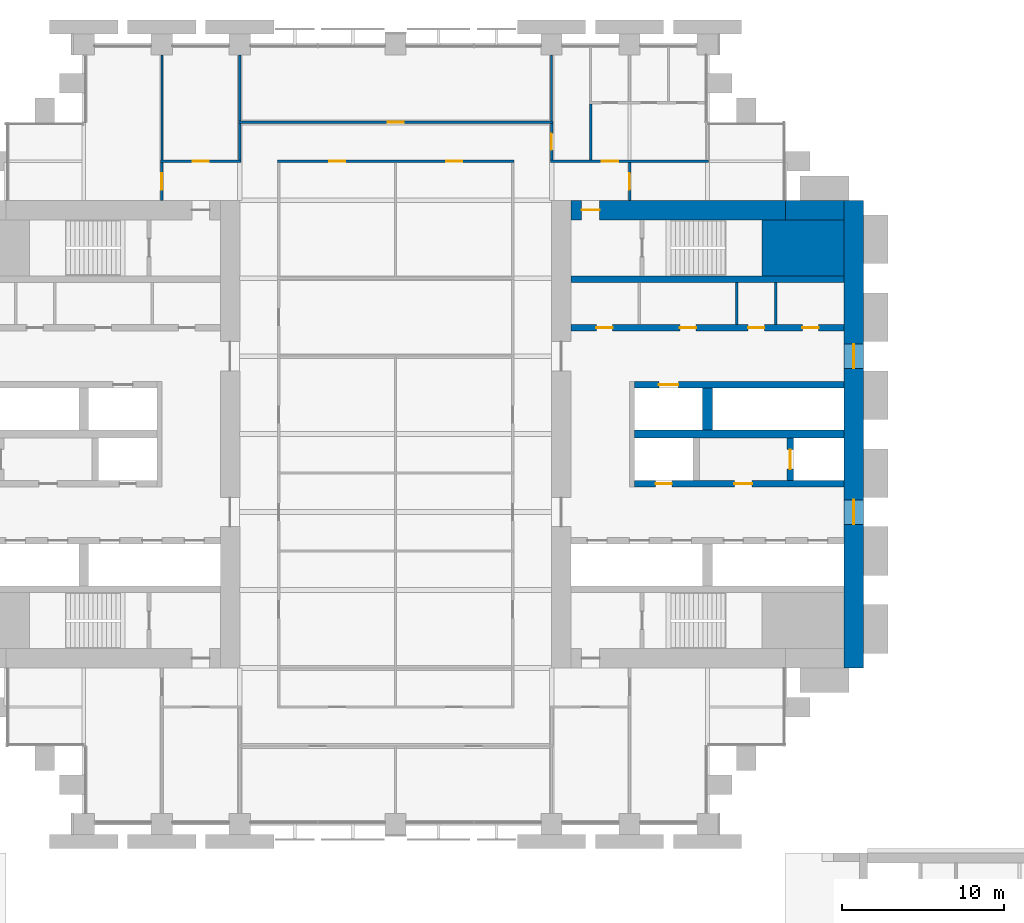
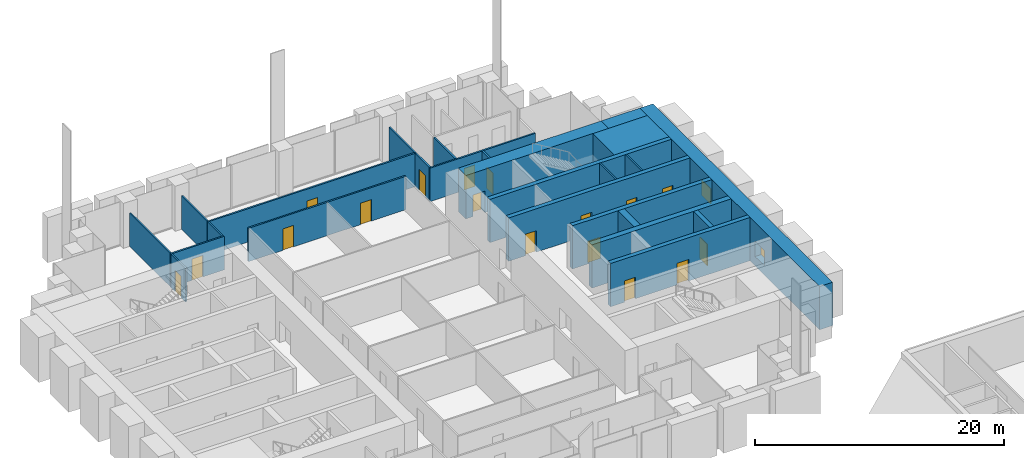
# One storey, part 20 of 22: 25 walls, 17 doors, 2 windows, 19 openings.
"""IFC4 building model written with IfcOpenShell, lengths in metres."""

from ifc_helpers import new_model, si_unit, direction, frame, frame_2d, origin, place, context, subcontext, project, spatial, rectangle, extrude, material, layer, layer_set, type_object, element, fill, save


model = new_model("IFC4")

# Units and contexts
model_context = context("Model", 3, precision=1e-05, world=origin(), true_north=direction((0.0, 1.0)))
body_context = subcontext(model_context, "Body", "Model", "MODEL_VIEW")
ifc_project = project(units=[si_unit("LENGTHUNIT", "METRE"), si_unit("AREAUNIT", "SQUARE_METRE"), si_unit("VOLUMEUNIT", "CUBIC_METRE"), si_unit("PLANEANGLEUNIT", "RADIAN"), si_unit("MASSUNIT", "GRAM", prefix="KILO")], contexts=[model_context])

# Site, building, storey
site_placement = place(None, origin())
site = spatial("IfcSite", under=ifc_project, at=site_placement, CompositionType="ELEMENT")
building_placement = place(site_placement, origin())
building = spatial("IfcBuilding", under=site, at=building_placement, Name="Baori Bourse Tower", CompositionType="ELEMENT")
storey_placement = place(building_placement, frame((0.0, 0.0, 25.800048828125)))
storey = spatial("IfcBuildingStorey", under=building, at=storey_placement, Name="L04", CompositionType="ELEMENT", Elevation=25.800048828125)

# Walls
ifc_material_1 = material(Name="Concrete f'c 70 MPa", Category="concrete")
wall_type_1 = type_object("IfcWallType", Name="Core corner block f'c 70", PredefinedType="SHEAR", material=ifc_material_1)
wall_1_placement = place(storey_placement, frame((51.35009765625, 35.47509765625, 0.0), z_axis=(0.0, 0.0, 1.0), x_axis=(1.0, 0.0, 0.0)))
element("IfcWall", 1, at=wall_1_placement, inside=storey, type_object=wall_type_1, Name="Core wall E22", PredefinedType="SHEAR", context=body_context, shape_type="SweptSolid", body=[
    extrude(rectangle(XDim=5.0498046875, YDim=3.449951171875, at=frame_2d((2.52490234375, 0.0))), origin(), (0.0, 0.0, 1.0), 4.239990234375),
])
ifc_material_2 = material(Name="Blockwork partition", Category="masonry")
ifc_layer_1 = layer(ifc_material_2, 0.14990234375)
ifc_layer_set_1 = layer_set([ifc_layer_1], Name="Core partition 150")
wall_type_2 = type_object("IfcWallType", Name="Core partition 150", PredefinedType="PARTITIONING", material=ifc_layer_set_1)
for number, where, z_axis, x_axis, name in (
    (2, (52.199951171875, 30.75, 0.0), (0.0, 0.0, 1.0), (0.0, 1.0, 0.0), "Partition wall E18"),
    (3, (49.800048828125, 30.75, 0.0), (0.0, 0.0, 1.0), (0.0, 1.0, 0.0), "Partition wall E19"),
):
    element("IfcWall", number, at=place(storey_placement, frame(where, z_axis=z_axis, x_axis=x_axis)), inside=storey, type_object=wall_type_2, Name=name, PredefinedType="PARTITIONING", context=body_context, shape_type="SweptSolid", body=[
        extrude(rectangle(XDim=2.60009765625, YDim=0.14990234375, at=frame_2d((1.300048828125, 0.0))), origin(), (0.0, 0.0, 1.0), 4.239990234375),
    ])

# Wall, openings, windows
ifc_material_3 = material(Name="Concrete f'c 70 MPa", Category="concrete")
ifc_layer_2 = layer(ifc_material_3, 1.199951171875)
ifc_layer_set_2 = layer_set([ifc_layer_2], Name="Core wall 1200 f'c 70")
wall_type_3 = type_object("IfcWallType", Name="Core wall 1200 f'c 70", PredefinedType="SHEAR", material=ifc_layer_set_2)
wall_2_placement = place(storey_placement, frame((57.0, 38.39990234375, 0.0), z_axis=(0.0, 0.0, 1.0), x_axis=(0.0, -1.0, 0.0)))
wall_2 = element("IfcWall", 4, at=wall_2_placement, inside=storey, type_object=wall_type_3, Name="Core wall E01", PredefinedType="SHEAR", context=body_context, shape_type="SweptSolid", body=[
    extrude(rectangle(XDim=28.7998046875, YDim=1.199951171875, at=frame_2d((14.39990234375, 0.0))), origin(), (0.0, 0.0, 1.0), 4.239990234375),
])
opening_1_placement = place(wall_2_placement, frame((18.449951171875, 0.0, 0.89990234375)))
opening_1 = element("IfcOpeningElement", 5, at=opening_1_placement, cuts=wall_2, Name="Opening L04-KW201", PredefinedType="OPENING", context=body_context, shape_type="SweptSolid", body=[
    extrude(rectangle(XDim=1.5, YDim=1.5, at=frame_2d((0.75, 0.75))), frame((0.0, 0.60986328125, 0.0), z_axis=(0.0, -1.0, 0.0), x_axis=(1.0, 0.0, 0.0)), (0.0, 0.0, 1.0), 1.219970703125),
])
opening_2_placement = place(wall_2_placement, frame((8.85009765625, 0.0, 0.89990234375)))
opening_2 = element("IfcOpeningElement", 6, at=opening_2_placement, cuts=wall_2, Name="Opening L04-KW202", PredefinedType="OPENING", context=body_context, shape_type="SweptSolid", body=[
    extrude(rectangle(XDim=1.5, YDim=1.5, at=frame_2d((0.75, 0.75))), frame((0.0, 0.60986328125, 0.0), z_axis=(0.0, -1.0, 0.0), x_axis=(1.0, 0.0, 0.0)), (0.0, 0.0, 1.0), 1.219970703125),
])
ifc_material_4 = material(Name="Pale anodised aluminium", Category="aluminium")
window_type = type_object("IfcWindowType", Name="Lobby window 1500 x 1500", PartitioningType="SINGLE_PANEL", PredefinedType="WINDOW", material=ifc_material_4)
window_1_placement = place(opening_1_placement, origin())
window_1 = element("IfcWindow", 7, at=window_1_placement, inside=storey, type_object=window_type, Name="Outer wall window E L04 1", OverallHeight=1.5, OverallWidth=1.5, PartitioningType="SINGLE_PANEL", PredefinedType="WINDOW", context=body_context, shape_type="SweptSolid", body=[
    extrude(rectangle(XDim=1.5, YDim=1.5, at=frame_2d((0.75, 0.75))), frame((0.0, 0.030029296875, 0.0), z_axis=(0.0, -1.0, 0.0), x_axis=(1.0, 0.0, 0.0)), (0.0, 0.0, 1.0), 0.06005859375),
])
fill(opening_1, window_1)
window_2_placement = place(opening_2_placement, origin())
window_2 = element("IfcWindow", 8, at=window_2_placement, inside=storey, type_object=window_type, Name="Outer wall window E L04 2", OverallHeight=1.5, OverallWidth=1.5, PartitioningType="SINGLE_PANEL", PredefinedType="WINDOW", context=body_context, shape_type="SweptSolid", body=[
    extrude(rectangle(XDim=1.5, YDim=1.5, at=frame_2d((0.75, 0.75))), frame((0.0, 0.030029296875, 0.0), z_axis=(0.0, -1.0, 0.0), x_axis=(1.0, 0.0, 0.0)), (0.0, 0.0, 1.0), 0.06005859375),
])
fill(opening_2, window_2)

# Wall
wall_3_placement = place(storey_placement, frame((52.800048828125, 37.800048828125, 0.0), z_axis=(0.0, 0.0, 1.0), x_axis=(1.0, 0.0, 0.0)))
element("IfcWall", 9, at=wall_3_placement, inside=storey, type_object=wall_type_3, Name="Core wall E24", PredefinedType="SHEAR", context=body_context, shape_type="SweptSolid", body=[
    extrude(rectangle(XDim=3.599853515625, YDim=1.199951171875, at=frame_2d((1.7998046875, 0.0))), origin(), (0.0, 0.0, 1.0), 4.239990234375),
])

# Wall, opening, door
wall_4_placement = place(storey_placement, frame((39.60009765625, 37.800048828125, 0.0), z_axis=(0.0, 0.0, 1.0), x_axis=(1.0, 0.0, 0.0)))
wall_4 = element("IfcWall", 10, at=wall_4_placement, inside=storey, type_object=wall_type_3, Name="Core wall E25", PredefinedType="SHEAR", context=body_context, shape_type="SweptSolid", body=[
    extrude(rectangle(XDim=13.199951171875, YDim=1.199951171875, at=frame_2d((6.60009765625, 0.0))), origin(), (0.0, 0.0, 1.0), 4.239990234375),
])
opening_3_placement = place(wall_4_placement, frame((0.64990234375, 0.0, 0.0)))
opening_3 = element("IfcOpeningElement", 11, at=opening_3_placement, cuts=wall_4, Name="Opening L04-D204", PredefinedType="OPENING", context=body_context, shape_type="SweptSolid", body=[
    extrude(rectangle(XDim=1.10009765625, YDim=2.10009765625, at=frame_2d((0.550048828125, 1.050048828125))), frame((0.0, 0.60986328125, 0.0), z_axis=(0.0, -1.0, 0.0), x_axis=(1.0, 0.0, 0.0)), (0.0, 0.0, 1.0), 1.219970703125),
])
ifc_material_5 = material(Name="Painted steel door", Category="steel")
door_type_1 = type_object("IfcDoorType", Name="Stair door 1100", OperationType="SINGLE_SWING_LEFT", PredefinedType="DOOR", material=ifc_material_5)
door_1_placement = place(opening_3_placement, origin())
door_1 = element("IfcDoor", 12, at=door_1_placement, inside=storey, type_object=door_type_1, Name="Stair vestibule door B E L04", OperationType="SINGLE_SWING_LEFT", OverallHeight=2.10009765625, OverallWidth=1.10009765625, PredefinedType="DOOR", context=body_context, shape_type="SweptSolid", body=[
    extrude(rectangle(XDim=1.10009765625, YDim=2.10009765625, at=frame_2d((0.550048828125, 1.050048828125))), frame((0.0, 0.02490234375, 0.0), z_axis=(0.0, -1.0, 0.0), x_axis=(1.0, 0.0, 0.0)), (0.0, 0.0, 1.0), 0.050048828125),
])
fill(opening_3, door_1)

ifc_material_6 = material(Name="Gypsum board partition")
ifc_layer_3 = layer(ifc_material_6, 0.14990234375)
ifc_layer_set_3 = layer_set([ifc_layer_3], Name="Corridor partition 150")
wall_type_4 = type_object("IfcWallType", Name="Corridor partition 150", PredefinedType="PARTITIONING", material=ifc_layer_set_3)
wall_5_placement = place(storey_placement, frame((14.324951171875, 40.800048828125, 0.0), z_axis=(0.0, 0.0, 1.0), x_axis=(1.0, 0.0, 0.0)))
wall_5 = element("IfcWall", 13, at=wall_5_placement, inside=storey, type_object=wall_type_4, Name="Partition", PredefinedType="PARTITIONING", context=body_context, shape_type="SweptSolid", body=[
    extrude(rectangle(XDim=4.949951171875, YDim=0.14990234375, at=frame_2d((2.47509765625, 0.0))), origin(), (0.0, 0.0, 1.0), 3.269775390625),
])
opening_4_placement = place(wall_5_placement, frame((1.97509765625, 0.0, 0.0)))
opening_4 = element("IfcOpeningElement", 14, at=opening_4_placement, cuts=wall_5, Name="Opening L04-D07", PredefinedType="OPENING", context=body_context, shape_type="SweptSolid", body=[
    extrude(rectangle(XDim=1.0, YDim=2.10009765625, at=frame_2d((0.5, 1.050048828125))), frame((0.0, 0.0849609375, 0.0), z_axis=(0.0, -1.0, 0.0), x_axis=(1.0, 0.0, 0.0)), (0.0, 0.0, 1.0), 0.169921875),
])
ifc_material_7 = material(Name="Timber door leaf", Category="wood")
door_type_2 = type_object("IfcDoorType", Name="Door 1000 x 2100", OperationType="SINGLE_SWING_LEFT", PredefinedType="DOOR", material=ifc_material_7)
door_2_placement = place(opening_4_placement, origin())
door_2 = element("IfcDoor", 15, at=door_2_placement, inside=storey, type_object=door_type_2, Name="Door", OperationType="SINGLE_SWING_LEFT", OverallHeight=2.10009765625, OverallWidth=1.0, PredefinedType="DOOR", context=body_context, shape_type="SweptSolid", body=[
    extrude(rectangle(XDim=1.0, YDim=2.10009765625, at=frame_2d((0.5, 1.050048828125))), frame((0.0, 0.02490234375, 0.0), z_axis=(0.0, -1.0, 0.0), x_axis=(1.0, 0.0, 0.0)), (0.0, 0.0, 1.0), 0.050048828125),
])
fill(opening_4, door_2)

# Wall, openings, doors
wall_6_placement = place(storey_placement, frame((21.52490234375, 40.800048828125, 0.0), z_axis=(0.0, 0.0, 1.0), x_axis=(1.0, 0.0, 0.0)))
wall_6 = element("IfcWall", 16, at=wall_6_placement, inside=storey, type_object=wall_type_4, Name="Partition", PredefinedType="PARTITIONING", context=body_context, shape_type="SweptSolid", body=[
    extrude(rectangle(XDim=14.550048828125, YDim=0.14990234375, at=frame_2d((7.27490234375, 0.0))), origin(), (0.0, 0.0, 1.0), 3.269775390625),
])
opening_5_placement = place(wall_6_placement, frame((3.175048828125, 0.0, 0.0)))
opening_5 = element("IfcOpeningElement", 17, at=opening_5_placement, cuts=wall_6, Name="Opening L04-D08", PredefinedType="OPENING", context=body_context, shape_type="SweptSolid", body=[
    extrude(rectangle(XDim=1.0, YDim=2.10009765625, at=frame_2d((0.5, 1.050048828125))), frame((0.0, 0.0849609375, 0.0), z_axis=(0.0, -1.0, 0.0), x_axis=(1.0, 0.0, 0.0)), (0.0, 0.0, 1.0), 0.169921875),
])
opening_6_placement = place(wall_6_placement, frame((10.375, 0.0, 0.0)))
opening_6 = element("IfcOpeningElement", 18, at=opening_6_placement, cuts=wall_6, Name="Opening L04-D09", PredefinedType="OPENING", context=body_context, shape_type="SweptSolid", body=[
    extrude(rectangle(XDim=1.0, YDim=2.10009765625, at=frame_2d((0.5, 1.050048828125))), frame((0.0, 0.0849609375, 0.0), z_axis=(0.0, -1.0, 0.0), x_axis=(1.0, 0.0, 0.0)), (0.0, 0.0, 1.0), 0.169921875),
])
door_3_placement = place(opening_5_placement, origin())
door_3 = element("IfcDoor", 19, at=door_3_placement, inside=storey, type_object=door_type_2, Name="Door", OperationType="SINGLE_SWING_LEFT", OverallHeight=2.10009765625, OverallWidth=1.0, PredefinedType="DOOR", context=body_context, shape_type="SweptSolid", body=[
    extrude(rectangle(XDim=1.0, YDim=2.10009765625, at=frame_2d((0.5, 1.050048828125))), frame((0.0, 0.02490234375, 0.0), z_axis=(0.0, -1.0, 0.0), x_axis=(1.0, 0.0, 0.0)), (0.0, 0.0, 1.0), 0.050048828125),
])
fill(opening_5, door_3)
door_4_placement = place(opening_6_placement, origin())
door_4 = element("IfcDoor", 20, at=door_4_placement, inside=storey, type_object=door_type_2, Name="Door", OperationType="SINGLE_SWING_RIGHT", OverallHeight=2.10009765625, OverallWidth=1.0, PredefinedType="DOOR", context=body_context, shape_type="SweptSolid", body=[
    extrude(rectangle(XDim=1.0, YDim=2.10009765625, at=frame_2d((0.5, 1.050048828125))), frame((0.0, 0.02490234375, 0.0), z_axis=(0.0, -1.0, 0.0), x_axis=(1.0, 0.0, 0.0)), (0.0, 0.0, 1.0), 0.050048828125),
])
fill(opening_6, door_4)

# Wall, opening, door
wall_7_placement = place(storey_placement, frame((38.324951171875, 40.800048828125, 0.0), z_axis=(0.0, 0.0, 1.0), x_axis=(1.0, 0.0, 0.0)))
wall_7 = element("IfcWall", 21, at=wall_7_placement, inside=storey, type_object=wall_type_4, Name="Partition", PredefinedType="PARTITIONING", context=body_context, shape_type="SweptSolid", body=[
    extrude(rectangle(XDim=9.75, YDim=0.14990234375, at=frame_2d((4.875, 0.0))), origin(), (0.0, 0.0, 1.0), 3.269775390625),
])
opening_7_placement = place(wall_7_placement, frame((3.175048828125, 0.0, 0.0)))
opening_7 = element("IfcOpeningElement", 22, at=opening_7_placement, cuts=wall_7, Name="Opening L04-D10", PredefinedType="OPENING", context=body_context, shape_type="SweptSolid", body=[
    extrude(rectangle(XDim=1.0, YDim=2.10009765625, at=frame_2d((0.5, 1.050048828125))), frame((0.0, 0.0849609375, 0.0), z_axis=(0.0, -1.0, 0.0), x_axis=(1.0, 0.0, 0.0)), (0.0, 0.0, 1.0), 0.169921875),
])
door_5_placement = place(opening_7_placement, origin())
door_5 = element("IfcDoor", 23, at=door_5_placement, inside=storey, type_object=door_type_2, Name="Door", OperationType="SINGLE_SWING_LEFT", OverallHeight=2.10009765625, OverallWidth=1.0, PredefinedType="DOOR", context=body_context, shape_type="SweptSolid", body=[
    extrude(rectangle(XDim=1.0, YDim=2.10009765625, at=frame_2d((0.5, 1.050048828125))), frame((0.0, 0.02490234375, 0.0), z_axis=(0.0, -1.0, 0.0), x_axis=(1.0, 0.0, 0.0)), (0.0, 0.0, 1.0), 0.050048828125),
])
fill(opening_7, door_5)

wall_8_placement = place(storey_placement, frame((19.125, 43.199951171875, 0.0), z_axis=(0.0, 0.0, 1.0), x_axis=(1.0, 0.0, 0.0)))
wall_8 = element("IfcWall", 24, at=wall_8_placement, inside=storey, type_object=wall_type_4, Name="Partition", PredefinedType="PARTITIONING", context=body_context, shape_type="SweptSolid", body=[
    extrude(rectangle(XDim=19.35009765625, YDim=0.14990234375, at=frame_2d((9.675048828125, 0.0))), origin(), (0.0, 0.0, 1.0), 3.269775390625),
])
opening_8_placement = place(wall_8_placement, frame((9.175048828125, 0.0, 0.0)))
opening_8 = element("IfcOpeningElement", 25, at=opening_8_placement, cuts=wall_8, Name="Opening L04-D11", PredefinedType="OPENING", context=body_context, shape_type="SweptSolid", body=[
    extrude(rectangle(XDim=1.0, YDim=2.10009765625, at=frame_2d((0.5, 1.050048828125))), frame((0.0, 0.0849609375, 0.0), z_axis=(0.0, -1.0, 0.0), x_axis=(1.0, 0.0, 0.0)), (0.0, 0.0, 1.0), 0.169921875),
])
door_6_placement = place(opening_8_placement, origin())
door_6 = element("IfcDoor", 26, at=door_6_placement, inside=storey, type_object=door_type_2, Name="Door", OperationType="SINGLE_SWING_RIGHT", OverallHeight=2.10009765625, OverallWidth=1.0, PredefinedType="DOOR", context=body_context, shape_type="SweptSolid", body=[
    extrude(rectangle(XDim=1.0, YDim=2.10009765625, at=frame_2d((0.5, 1.050048828125))), frame((0.0, 0.02490234375, 0.0), z_axis=(0.0, -1.0, 0.0), x_axis=(1.0, 0.0, 0.0)), (0.0, 0.0, 1.0), 0.050048828125),
])
fill(opening_8, door_6)

wall_9_placement = place(storey_placement, frame((14.39990234375, 38.39990234375, 0.0), z_axis=(0.0, 0.0, 1.0), x_axis=(0.0, 1.0, 0.0)))
wall_9 = element("IfcWall", 27, at=wall_9_placement, inside=storey, type_object=wall_type_4, Name="Partition", PredefinedType="PARTITIONING", context=body_context, shape_type="SweptSolid", body=[
    extrude(rectangle(XDim=2.3251953125, YDim=0.14990234375, at=frame_2d((1.16259765625, 0.0))), origin(), (0.0, 0.0, 1.0), 3.269775390625),
])
opening_9_placement = place(wall_9_placement, frame((0.66259765625, 0.0, 0.0)))
opening_9 = element("IfcOpeningElement", 28, at=opening_9_placement, cuts=wall_9, Name="Opening L04-D16", PredefinedType="OPENING", context=body_context, shape_type="SweptSolid", body=[
    extrude(rectangle(XDim=1.0, YDim=2.10009765625, at=frame_2d((0.5, 1.050048828125))), frame((0.0, 0.0849609375, 0.0), z_axis=(0.0, -1.0, 0.0), x_axis=(1.0, 0.0, 0.0)), (0.0, 0.0, 1.0), 0.169921875),
])
door_7_placement = place(opening_9_placement, origin())
door_7 = element("IfcDoor", 29, at=door_7_placement, inside=storey, type_object=door_type_2, Name="Door", OperationType="SINGLE_SWING_RIGHT", OverallHeight=2.10009765625, OverallWidth=1.0, PredefinedType="DOOR", context=body_context, shape_type="SweptSolid", body=[
    extrude(rectangle(XDim=1.0, YDim=2.10009765625, at=frame_2d((0.5, 1.050048828125))), frame((0.0, 0.02490234375, 0.0), z_axis=(0.0, -1.0, 0.0), x_axis=(1.0, 0.0, 0.0)), (0.0, 0.0, 1.0), 0.050048828125),
])
fill(opening_9, door_7)

# Wall
wall_10_placement = place(storey_placement, frame((19.199951171875, 40.875, 0.0), z_axis=(0.0, 0.0, 1.0), x_axis=(0.0, 1.0, 0.0)))
element("IfcWall", 30, at=wall_10_placement, inside=storey, type_object=wall_type_4, Name="Partition", PredefinedType="PARTITIONING", context=body_context, shape_type="SweptSolid", body=[
    extrude(rectangle(XDim=2.25, YDim=0.14990234375, at=frame_2d((1.125, 0.0))), origin(), (0.0, 0.0, 1.0), 3.269775390625),
])

# Wall, opening, door
wall_11_placement = place(storey_placement, frame((38.39990234375, 40.875, 0.0), z_axis=(0.0, 0.0, 1.0), x_axis=(0.0, 1.0, 0.0)))
wall_11 = element("IfcWall", 31, at=wall_11_placement, inside=storey, type_object=wall_type_4, Name="Partition", PredefinedType="PARTITIONING", context=body_context, shape_type="SweptSolid", body=[
    extrude(rectangle(XDim=2.25, YDim=0.14990234375, at=frame_2d((1.125, 0.0))), origin(), (0.0, 0.0, 1.0), 3.269775390625),
])
opening_10_placement = place(wall_11_placement, frame((0.625, 0.0, 0.0)))
opening_10 = element("IfcOpeningElement", 32, at=opening_10_placement, cuts=wall_11, Name="Opening L04-D24", PredefinedType="OPENING", context=body_context, shape_type="SweptSolid", body=[
    extrude(rectangle(XDim=1.0, YDim=2.10009765625, at=frame_2d((0.5, 1.050048828125))), frame((0.0, 0.0849609375, 0.0), z_axis=(0.0, -1.0, 0.0), x_axis=(1.0, 0.0, 0.0)), (0.0, 0.0, 1.0), 0.169921875),
])
door_8_placement = place(opening_10_placement, origin())
door_8 = element("IfcDoor", 33, at=door_8_placement, inside=storey, type_object=door_type_2, Name="Door", OperationType="SINGLE_SWING_LEFT", OverallHeight=2.10009765625, OverallWidth=1.0, PredefinedType="DOOR", context=body_context, shape_type="SweptSolid", body=[
    extrude(rectangle(XDim=1.0, YDim=2.10009765625, at=frame_2d((0.5, 1.050048828125))), frame((0.0, 0.02490234375, 0.0), z_axis=(0.0, -1.0, 0.0), x_axis=(1.0, 0.0, 0.0)), (0.0, 0.0, 1.0), 0.050048828125),
])
fill(opening_10, door_8)

# Wall
wall_12_placement = place(storey_placement, frame((40.800048828125, 40.875, 0.0), z_axis=(0.0, 0.0, 1.0), x_axis=(0.0, 1.0, 0.0)))
element("IfcWall", 34, at=wall_12_placement, inside=storey, type_object=wall_type_4, Name="Partition", PredefinedType="PARTITIONING", context=body_context, shape_type="SweptSolid", body=[
    extrude(rectangle(XDim=3.449951171875, YDim=0.14990234375, at=frame_2d((1.72509765625, 0.0))), origin(), (0.0, 0.0, 1.0), 3.269775390625),
])

# Wall, opening, door
wall_13_placement = place(storey_placement, frame((43.199951171875, 38.39990234375, 0.0), z_axis=(0.0, 0.0, 1.0), x_axis=(0.0, 1.0, 0.0)))
wall_13 = element("IfcWall", 35, at=wall_13_placement, inside=storey, type_object=wall_type_4, Name="Partition", PredefinedType="PARTITIONING", context=body_context, shape_type="SweptSolid", body=[
    extrude(rectangle(XDim=2.3251953125, YDim=0.14990234375, at=frame_2d((1.16259765625, 0.0))), origin(), (0.0, 0.0, 1.0), 3.269775390625),
])
opening_11_placement = place(wall_13_placement, frame((0.66259765625, 0.0, 0.0)))
opening_11 = element("IfcOpeningElement", 36, at=opening_11_placement, cuts=wall_13, Name="Opening L04-D26", PredefinedType="OPENING", context=body_context, shape_type="SweptSolid", body=[
    extrude(rectangle(XDim=1.0, YDim=2.10009765625, at=frame_2d((0.5, 1.050048828125))), frame((0.0, 0.0849609375, 0.0), z_axis=(0.0, -1.0, 0.0), x_axis=(1.0, 0.0, 0.0)), (0.0, 0.0, 1.0), 0.169921875),
])
door_9_placement = place(opening_11_placement, origin())
door_9 = element("IfcDoor", 37, at=door_9_placement, inside=storey, type_object=door_type_2, Name="Door", OperationType="SINGLE_SWING_LEFT", OverallHeight=2.10009765625, OverallWidth=1.0, PredefinedType="DOOR", context=body_context, shape_type="SweptSolid", body=[
    extrude(rectangle(XDim=1.0, YDim=2.10009765625, at=frame_2d((0.5, 1.050048828125))), frame((0.0, 0.02490234375, 0.0), z_axis=(0.0, -1.0, 0.0), x_axis=(1.0, 0.0, 0.0)), (0.0, 0.0, 1.0), 0.050048828125),
])
fill(opening_11, door_9)

# Walls
ifc_material_8 = material(Name="Gypsum board partition")
ifc_layer_4 = layer(ifc_material_8, 0.125)
ifc_layer_set_4 = layer_set([ifc_layer_4], Name="Partition 125")
wall_type_5 = type_object("IfcWallType", Name="Partition 125", PredefinedType="PARTITIONING", material=ifc_layer_set_4)
wall_14_placement = place(storey_placement, frame((14.39990234375, 40.875, 0.0), z_axis=(0.0, 0.0, 1.0), x_axis=(0.0, 1.0, 0.0)))
element("IfcWall", 38, at=wall_14_placement, inside=storey, type_object=wall_type_5, Name="Partition", PredefinedType="PARTITIONING", context=body_context, shape_type="SweptSolid", body=[
    extrude(rectangle(XDim=6.47509765625, YDim=0.125, at=frame_2d((3.237548828125, 0.0))), origin(), (0.0, 0.0, 1.0), 3.269775390625),
])
for number, where, z_axis, x_axis, name in (
    (39, (19.199951171875, 43.27490234375, 0.0), (0.0, 0.0, 1.0), (0.0, 1.0, 0.0), "Partition"),
    (40, (38.39990234375, 43.27490234375, 0.0), (0.0, 0.0, 1.0), (0.0, 1.0, 0.0), "Partition"),
):
    element("IfcWall", number, at=place(storey_placement, frame(where, z_axis=z_axis, x_axis=x_axis)), inside=storey, type_object=wall_type_5, Name=name, PredefinedType="PARTITIONING", context=body_context, shape_type="SweptSolid", body=[
        extrude(rectangle(XDim=4.0751953125, YDim=0.125, at=frame_2d((2.03759765625, 0.0))), origin(), (0.0, 0.0, 1.0), 3.269775390625),
    ])

# Wall, openings, doors
ifc_material_9 = material(Name="Concrete f'c 70 MPa", Category="concrete")
ifc_layer_5 = layer(ifc_material_9, 0.39990234375)
ifc_layer_set_5 = layer_set([ifc_layer_5], Name="Shaft wall 400 f'c 70")
wall_type_6 = type_object("IfcWallType", Name="Shaft wall 400 f'c 70", PredefinedType="SHEAR", material=ifc_layer_set_5)
wall_15_placement = place(storey_placement, frame((43.5, 20.949951171875, 0.0), z_axis=(0.0, 0.0, 1.0), x_axis=(1.0, 0.0, 0.0)))
wall_15 = element("IfcWall", 41, at=wall_15_placement, inside=storey, type_object=wall_type_6, Name="Core wall E10", PredefinedType="SHEAR", context=body_context, shape_type="SweptSolid", body=[
    extrude(rectangle(XDim=12.89990234375, YDim=0.39990234375, at=frame_2d((6.449951171875, 0.0))), origin(), (0.0, 0.0, 1.0), 4.239990234375),
])
opening_12_placement = place(wall_15_placement, frame((6.14990234375, 0.0, 0.0)))
opening_12 = element("IfcOpeningElement", 42, at=opening_12_placement, cuts=wall_15, Name="Opening L04-D205", PredefinedType="OPENING", context=body_context, shape_type="SweptSolid", body=[
    extrude(rectangle(XDim=1.10009765625, YDim=2.10009765625, at=frame_2d((0.550048828125, 1.050048828125))), frame((0.0, 0.2099609375, 0.0), z_axis=(0.0, -1.0, 0.0), x_axis=(1.0, 0.0, 0.0)), (0.0, 0.0, 1.0), 0.419921875),
])
opening_13_placement = place(wall_15_placement, frame((1.300048828125, 0.0, 0.0)))
opening_13 = element("IfcOpeningElement", 43, at=opening_13_placement, cuts=wall_15, Name="Opening L04-D206", PredefinedType="OPENING", context=body_context, shape_type="SweptSolid", body=[
    extrude(rectangle(XDim=1.0, YDim=2.10009765625, at=frame_2d((0.5, 1.050048828125))), frame((0.0, 0.2099609375, 0.0), z_axis=(0.0, -1.0, 0.0), x_axis=(1.0, 0.0, 0.0)), (0.0, 0.0, 1.0), 0.419921875),
])
ifc_material_10 = material(Name="Painted steel door", Category="steel")
door_type_3 = type_object("IfcDoorType", Name="Lobby door 1100", OperationType="SINGLE_SWING_LEFT", PredefinedType="DOOR", material=ifc_material_10)
door_10_placement = place(opening_12_placement, origin())
door_10 = element("IfcDoor", 44, at=door_10_placement, inside=storey, type_object=door_type_3, Name="Firefighting lobby door E L04", OperationType="SINGLE_SWING_LEFT", OverallHeight=2.10009765625, OverallWidth=1.10009765625, PredefinedType="DOOR", context=body_context, shape_type="SweptSolid", body=[
    extrude(rectangle(XDim=1.10009765625, YDim=2.10009765625, at=frame_2d((0.550048828125, 1.050048828125))), frame((0.0, 0.02490234375, 0.0), z_axis=(0.0, -1.0, 0.0), x_axis=(1.0, 0.0, 0.0)), (0.0, 0.0, 1.0), 0.050048828125),
])
fill(opening_12, door_10)
ifc_material_11 = material(Name="Painted steel door", Category="steel")
door_type_4 = type_object("IfcDoorType", Name="Shaft door 1000", OperationType="SINGLE_SWING_LEFT", PredefinedType="DOOR", material=ifc_material_11)
door_11_placement = place(opening_13_placement, origin())
door_11 = element("IfcDoor", 45, at=door_11_placement, inside=storey, type_object=door_type_4, Name="Riser room door E L04", OperationType="SINGLE_SWING_LEFT", OverallHeight=2.10009765625, OverallWidth=1.0, PredefinedType="DOOR", context=body_context, shape_type="SweptSolid", body=[
    extrude(rectangle(XDim=1.0, YDim=2.10009765625, at=frame_2d((0.5, 1.050048828125))), frame((0.0, 0.02490234375, 0.0), z_axis=(0.0, -1.0, 0.0), x_axis=(1.0, 0.0, 0.0)), (0.0, 0.0, 1.0), 0.050048828125),
])
fill(opening_13, door_11)

# Wall, opening, door
wall_16_placement = place(storey_placement, frame((53.10009765625, 21.14990234375, 0.0), z_axis=(0.0, 0.0, 1.0), x_axis=(0.0, 1.0, 0.0)))
wall_16 = element("IfcWall", 46, at=wall_16_placement, inside=storey, type_object=wall_type_6, Name="Core wall E12", PredefinedType="SHEAR", context=body_context, shape_type="SweptSolid", body=[
    extrude(rectangle(XDim=2.60009765625, YDim=0.39990234375, at=frame_2d((1.300048828125, 0.0))), origin(), (0.0, 0.0, 1.0), 4.239990234375),
])
opening_14_placement = place(wall_16_placement, frame((0.699951171875, 0.0, 0.0)))
opening_14 = element("IfcOpeningElement", 47, at=opening_14_placement, cuts=wall_16, Name="Opening L04-D220", PredefinedType="OPENING", context=body_context, shape_type="SweptSolid", body=[
    extrude(rectangle(XDim=1.199951171875, YDim=2.10009765625, at=frame_2d((0.60009765625, 1.050048828125))), frame((0.0, 0.2099609375, 0.0), z_axis=(0.0, -1.0, 0.0), x_axis=(1.0, 0.0, 0.0)), (0.0, 0.0, 1.0), 0.419921875),
])
ifc_material_12 = material(Name="Stainless steel door", Category="steel")
door_type_5 = type_object("IfcDoorType", Name="Lift landing door", OperationType="DOUBLE_DOOR_SLIDING", PredefinedType="DOOR", material=ifc_material_12)
door_12_placement = place(opening_14_placement, origin())
door_12 = element("IfcDoor", 48, at=door_12_placement, inside=storey, type_object=door_type_5, Name="Lift landing door FF2 E L04", OperationType="DOUBLE_DOOR_SLIDING", OverallHeight=2.10009765625, OverallWidth=1.199951171875, PredefinedType="DOOR", context=body_context, shape_type="SweptSolid", body=[
    extrude(rectangle(XDim=1.199951171875, YDim=2.10009765625, at=frame_2d((0.60009765625, 1.050048828125))), frame((0.0, 0.02490234375, 0.0), z_axis=(0.0, -1.0, 0.0), x_axis=(1.0, 0.0, 0.0)), (0.0, 0.0, 1.0), 0.050048828125),
])
fill(opening_14, door_12)

wall_17_placement = place(storey_placement, frame((43.5, 27.050048828125, 0.0), z_axis=(0.0, 0.0, 1.0), x_axis=(1.0, 0.0, 0.0)))
wall_17 = element("IfcWall", 49, at=wall_17_placement, inside=storey, type_object=wall_type_6, Name="Core wall E16", PredefinedType="SHEAR", context=body_context, shape_type="SweptSolid", body=[
    extrude(rectangle(XDim=12.89990234375, YDim=0.39990234375, at=frame_2d((6.449951171875, 0.0))), origin(), (0.0, 0.0, 1.0), 4.239990234375),
])
opening_15_placement = place(wall_17_placement, frame((1.5, 0.0, 0.0)))
opening_15 = element("IfcOpeningElement", 50, at=opening_15_placement, cuts=wall_17, Name="Opening L04-D219", PredefinedType="OPENING", context=body_context, shape_type="SweptSolid", body=[
    extrude(rectangle(XDim=1.199951171875, YDim=2.10009765625, at=frame_2d((0.60009765625, 1.050048828125))), frame((0.0, 0.2099609375, 0.0), z_axis=(0.0, -1.0, 0.0), x_axis=(1.0, 0.0, 0.0)), (0.0, 0.0, 1.0), 0.419921875),
])
door_13_placement = place(opening_15_placement, origin())
door_13 = element("IfcDoor", 51, at=door_13_placement, inside=storey, type_object=door_type_5, Name="Lift landing door SV1 E L04", OperationType="DOUBLE_DOOR_SLIDING", OverallHeight=2.10009765625, OverallWidth=1.199951171875, PredefinedType="DOOR", context=body_context, shape_type="SweptSolid", body=[
    extrude(rectangle(XDim=1.199951171875, YDim=2.10009765625, at=frame_2d((0.60009765625, 1.050048828125))), frame((0.0, 0.02490234375, 0.0), z_axis=(0.0, -1.0, 0.0), x_axis=(1.0, 0.0, 0.0)), (0.0, 0.0, 1.0), 0.050048828125),
])
fill(opening_15, door_13)

# Wall, openings, doors
wall_18_placement = place(storey_placement, frame((39.60009765625, 30.550048828125, 0.0), z_axis=(0.0, 0.0, 1.0), x_axis=(1.0, 0.0, 0.0)))
wall_18 = element("IfcWall", 52, at=wall_18_placement, inside=storey, type_object=wall_type_6, Name="Core wall E17", PredefinedType="SHEAR", context=body_context, shape_type="SweptSolid", body=[
    extrude(rectangle(XDim=16.7998046875, YDim=0.39990234375, at=frame_2d((8.39990234375, 0.0))), origin(), (0.0, 0.0, 1.0), 4.239990234375),
])
opening_16_placement = place(wall_18_placement, frame((14.237548828125, 0.0, 0.0)))
opening_16 = element("IfcOpeningElement", 53, at=opening_16_placement, cuts=wall_18, Name="Opening L04-D209", PredefinedType="OPENING", context=body_context, shape_type="SweptSolid", body=[
    extrude(rectangle(XDim=1.0, YDim=2.10009765625, at=frame_2d((0.5, 1.050048828125))), frame((0.0, 0.2099609375, 0.0), z_axis=(0.0, -1.0, 0.0), x_axis=(1.0, 0.0, 0.0)), (0.0, 0.0, 1.0), 0.419921875),
])
opening_17_placement = place(wall_18_placement, frame((10.89990234375, 0.0, 0.0)))
opening_17 = element("IfcOpeningElement", 54, at=opening_17_placement, cuts=wall_18, Name="Opening L04-D210", PredefinedType="OPENING", context=body_context, shape_type="SweptSolid", body=[
    extrude(rectangle(XDim=1.0, YDim=2.10009765625, at=frame_2d((0.5, 1.050048828125))), frame((0.0, 0.2099609375, 0.0), z_axis=(0.0, -1.0, 0.0), x_axis=(1.0, 0.0, 0.0)), (0.0, 0.0, 1.0), 0.419921875),
])
opening_18_placement = place(wall_18_placement, frame((6.699951171875, 0.0, 0.0)))
opening_18 = element("IfcOpeningElement", 55, at=opening_18_placement, cuts=wall_18, Name="Opening L04-D211", PredefinedType="OPENING", context=body_context, shape_type="SweptSolid", body=[
    extrude(rectangle(XDim=1.0, YDim=2.10009765625, at=frame_2d((0.5, 1.050048828125))), frame((0.0, 0.2099609375, 0.0), z_axis=(0.0, -1.0, 0.0), x_axis=(1.0, 0.0, 0.0)), (0.0, 0.0, 1.0), 0.419921875),
])
opening_19_placement = place(wall_18_placement, frame((1.5625, 0.0, 0.0)))
opening_19 = element("IfcOpeningElement", 56, at=opening_19_placement, cuts=wall_18, Name="Opening L04-D212", PredefinedType="OPENING", context=body_context, shape_type="SweptSolid", body=[
    extrude(rectangle(XDim=1.0, YDim=2.10009765625, at=frame_2d((0.5, 1.050048828125))), frame((0.0, 0.2099609375, 0.0), z_axis=(0.0, -1.0, 0.0), x_axis=(1.0, 0.0, 0.0)), (0.0, 0.0, 1.0), 0.419921875),
])
ifc_material_13 = material(Name="Painted steel door", Category="steel")
door_type_6 = type_object("IfcDoorType", Name="Core door 1000", OperationType="SINGLE_SWING_LEFT", PredefinedType="DOOR", material=ifc_material_13)
door_14_placement = place(opening_16_placement, origin())
door_14 = element("IfcDoor", 57, at=door_14_placement, inside=storey, type_object=door_type_6, Name="Women'S Wc door E L04", OperationType="SINGLE_SWING_LEFT", OverallHeight=2.10009765625, OverallWidth=1.0, PredefinedType="DOOR", context=body_context, shape_type="SweptSolid", body=[
    extrude(rectangle(XDim=1.0, YDim=2.10009765625, at=frame_2d((0.5, 1.050048828125))), frame((0.0, 0.02490234375, 0.0), z_axis=(0.0, -1.0, 0.0), x_axis=(1.0, 0.0, 0.0)), (0.0, 0.0, 1.0), 0.050048828125),
])
fill(opening_16, door_14)
door_15_placement = place(opening_17_placement, origin())
door_15 = element("IfcDoor", 58, at=door_15_placement, inside=storey, type_object=door_type_6, Name="Pantry door E L04", OperationType="SINGLE_SWING_LEFT", OverallHeight=2.10009765625, OverallWidth=1.0, PredefinedType="DOOR", context=body_context, shape_type="SweptSolid", body=[
    extrude(rectangle(XDim=1.0, YDim=2.10009765625, at=frame_2d((0.5, 1.050048828125))), frame((0.0, 0.02490234375, 0.0), z_axis=(0.0, -1.0, 0.0), x_axis=(1.0, 0.0, 0.0)), (0.0, 0.0, 1.0), 0.050048828125),
])
fill(opening_17, door_15)
door_16_placement = place(opening_18_placement, origin())
door_16 = element("IfcDoor", 59, at=door_16_placement, inside=storey, type_object=door_type_6, Name="Men'S Wc door E L04", OperationType="SINGLE_SWING_LEFT", OverallHeight=2.10009765625, OverallWidth=1.0, PredefinedType="DOOR", context=body_context, shape_type="SweptSolid", body=[
    extrude(rectangle(XDim=1.0, YDim=2.10009765625, at=frame_2d((0.5, 1.050048828125))), frame((0.0, 0.02490234375, 0.0), z_axis=(0.0, -1.0, 0.0), x_axis=(1.0, 0.0, 0.0)), (0.0, 0.0, 1.0), 0.050048828125),
])
fill(opening_18, door_16)
door_17_placement = place(opening_19_placement, origin())
door_17 = element("IfcDoor", 60, at=door_17_placement, inside=storey, type_object=door_type_6, Name="Accessible Wc door E L04", OperationType="SINGLE_SWING_LEFT", OverallHeight=2.10009765625, OverallWidth=1.0, PredefinedType="DOOR", context=body_context, shape_type="SweptSolid", body=[
    extrude(rectangle(XDim=1.0, YDim=2.10009765625, at=frame_2d((0.5, 1.050048828125))), frame((0.0, 0.02490234375, 0.0), z_axis=(0.0, -1.0, 0.0), x_axis=(1.0, 0.0, 0.0)), (0.0, 0.0, 1.0), 0.050048828125),
])
fill(opening_19, door_17)

# Walls
wall_19_placement = place(storey_placement, frame((39.60009765625, 33.550048828125, 0.0), z_axis=(0.0, 0.0, 1.0), x_axis=(1.0, 0.0, 0.0)))
element("IfcWall", 61, at=wall_19_placement, inside=storey, type_object=wall_type_6, Name="Core wall E21", PredefinedType="SHEAR", context=body_context, shape_type="SweptSolid", body=[
    extrude(rectangle(XDim=16.7998046875, YDim=0.39990234375, at=frame_2d((8.39990234375, 0.0))), origin(), (0.0, 0.0, 1.0), 4.239990234375),
])
ifc_material_14 = material(Name="Concrete f'c 70 MPa", Category="concrete")
ifc_layer_6 = layer(ifc_material_14, 0.5)
ifc_layer_set_6 = layer_set([ifc_layer_6], Name="Shaft wall 500 f'c 70")
wall_type_7 = type_object("IfcWallType", Name="Shaft wall 500 f'c 70", PredefinedType="SHEAR", material=ifc_layer_set_6)
wall_20_placement = place(storey_placement, frame((43.5, 24.0, 0.0), z_axis=(0.0, 0.0, 1.0), x_axis=(1.0, 0.0, 0.0)))
element("IfcWall", 62, at=wall_20_placement, inside=storey, type_object=wall_type_7, Name="Core wall E14", PredefinedType="SHEAR", context=body_context, shape_type="SweptSolid", body=[
    extrude(rectangle(XDim=12.89990234375, YDim=0.5, at=frame_2d((6.449951171875, 0.0))), origin(), (0.0, 0.0, 1.0), 4.239990234375),
])
ifc_material_15 = material(Name="Concrete f'c 70 MPa", Category="concrete")
ifc_layer_7 = layer(ifc_material_15, 0.60009765625)
ifc_layer_set_7 = layer_set([ifc_layer_7], Name="Shaft wall 600 f'c 70")
wall_type_8 = type_object("IfcWallType", Name="Shaft wall 600 f'c 70", PredefinedType="SHEAR", material=ifc_layer_set_7)
wall_21_placement = place(storey_placement, frame((48.0, 24.25, 0.0), z_axis=(0.0, 0.0, 1.0), x_axis=(0.0, 1.0, 0.0)))
element("IfcWall", 63, at=wall_21_placement, inside=storey, type_object=wall_type_8, Name="Core wall E15", PredefinedType="SHEAR", context=body_context, shape_type="SweptSolid", body=[
    extrude(rectangle(XDim=2.60009765625, YDim=0.60009765625, at=frame_2d((1.300048828125, 0.0))), origin(), (0.0, 0.0, 1.0), 4.239990234375),
])

save(model, "model.ifc")
